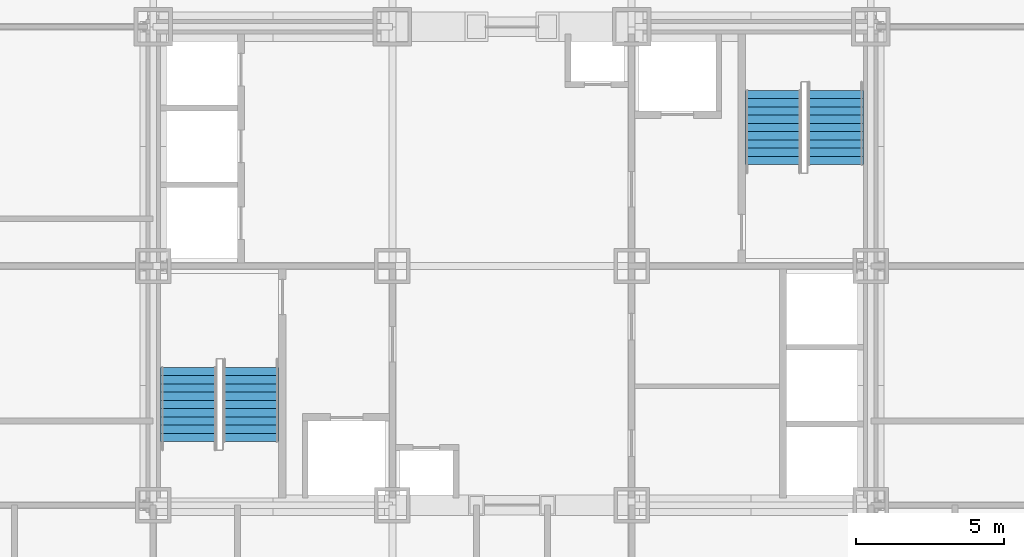
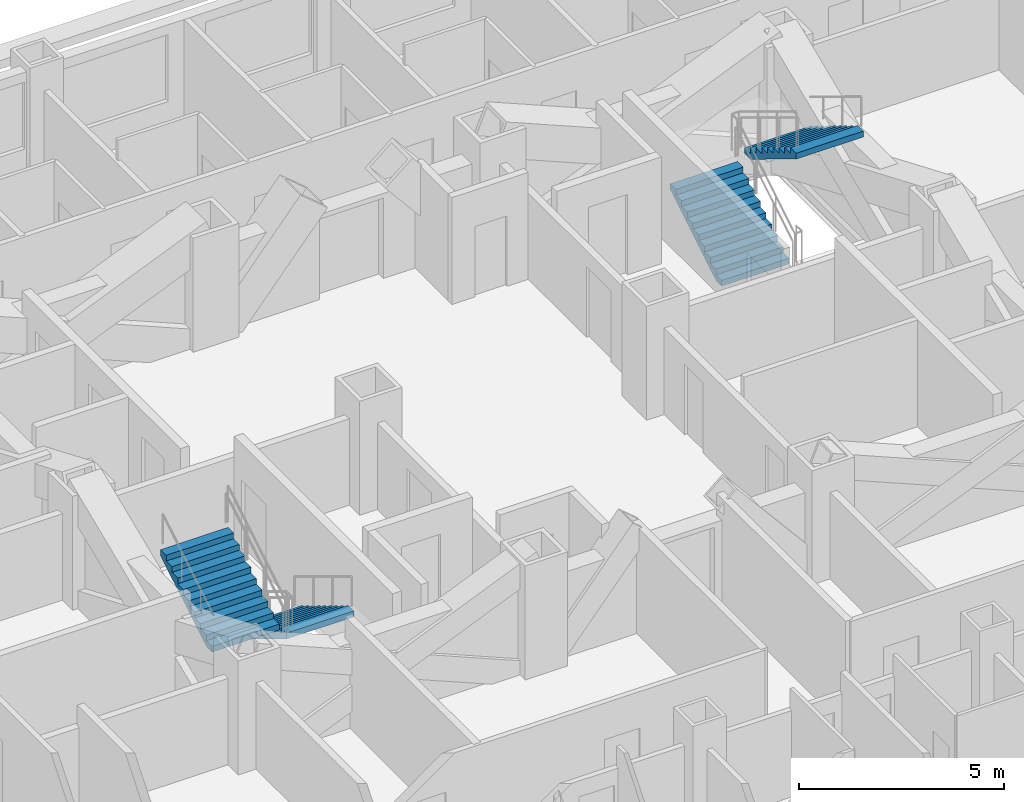
# One storey, part 11 of 12: 4 stair flights, 2 elements without a shape of their own.
"""IFC4 building model written with IfcOpenShell, lengths in metres."""

from ifc_helpers import new_model, si_unit, direction, frame, origin, place, context, subcontext, project, spatial, polygons, source, transform, mapped, material, type_object, element, aggregate, save


model = new_model("IFC4")

# Units and contexts
model_context = context("Model", 3, precision=1e-05, world=origin(), true_north=direction((0.0, 1.0)))
body_context = subcontext(model_context, "Body", "Model", "MODEL_VIEW")
ifc_project = project(units=[si_unit("LENGTHUNIT", "METRE"), si_unit("AREAUNIT", "SQUARE_METRE"), si_unit("VOLUMEUNIT", "CUBIC_METRE"), si_unit("PLANEANGLEUNIT", "RADIAN"), si_unit("MASSUNIT", "GRAM", prefix="KILO")], contexts=[model_context])

# Site, building, storey
site_placement = place(None, origin())
site = spatial("IfcSite", under=ifc_project, at=site_placement, CompositionType="ELEMENT")
building_placement = place(site_placement, origin())
building = spatial("IfcBuilding", under=site, at=building_placement, Name="Kopane Lantern Tower", CompositionType="ELEMENT")
storey_placement = place(building_placement, frame((0.0, 0.0, 46.60009765625)))
storey = spatial("IfcBuildingStorey", under=building, at=storey_placement, Name="L10", CompositionType="ELEMENT", Elevation=46.60009765625)

# Stair, stair flights
ifc_material_1 = material(Name="Steel S355JR", Category="steel")
stair_type = type_object("IfcStairType", Name="EXIT STAIR 1900 HALF TURN", PredefinedType="HALF_TURN_STAIR", material=ifc_material_1)
stair_1_placement = place(storey_placement, origin())
stair_1 = element("IfcStair", 1, at=stair_1_placement, inside=storey, type_object=stair_type, Name="Exit stair ST1 L10", PredefinedType="HALF_TURN_STAIR")
ifc_material_2 = material(Name="Steel S355JR", Category="steel")
stair_flight_type = type_object("IfcStairFlightType", Name="STAIR FLIGHT 1900 STEEL", PredefinedType="STRAIGHT", material=ifc_material_2)
shared_shape = source(origin(), body_context, "Body", "Tessellation", [
    polygons([(2.520019531, 0.949951172, 1.530029297), (2.239990234, 0.949951172, 1.530029297), (2.239990234, -0.949951172, 1.530029297), (2.520019531, -0.949951172, 1.530029297), (0.288818359, 0.949951172, 0.0), (2.520019531, 0.949951172, 1.354736328), (2.520019531, -0.949951172, 1.354736328), (0.288818359, -0.949951172, 0.0), (0.0, 0.949951172, 0.0), (0.0, -0.949951172, 0.0), (0.280029297, 0.949951172, 0.169921875), (0.0, 0.949951172, 0.169921875), (0.0, -0.949951172, 0.169921875), (0.280029297, -0.949951172, 0.169921875), (0.280029297, 0.949951172, 0.340087891), (0.280029297, -0.949951172, 0.340087891), (0.560058594, 0.949951172, 0.340087891), (0.560058594, -0.949951172, 0.340087891), (0.560058594, 0.949951172, 0.510009766), (0.560058594, -0.949951172, 0.510009766), (0.840087891, 0.949951172, 0.510009766), (0.840087891, -0.949951172, 0.510009766), (0.840087891, 0.949951172, 0.679931641), (0.840087891, -0.949951172, 0.679931641), (1.120117188, 0.949951172, 0.679931641), (1.120117188, -0.949951172, 0.679931641), (1.120117188, 0.949951172, 0.850097656), (1.120117188, -0.949951172, 0.850097656), (1.399902344, 0.949951172, 0.850097656), (1.399902344, -0.949951172, 0.850097656), (1.399902344, 0.949951172, 1.020019531), (1.399902344, -0.949951172, 1.020019531), (1.679931641, 0.949951172, 1.020019531), (1.679931641, -0.949951172, 1.020019531), (1.679931641, 0.949951172, 1.189941406), (1.679931641, -0.949951172, 1.189941406), (1.959960938, 0.949951172, 1.189941406), (1.959960938, -0.949951172, 1.189941406), (1.959960938, 0.949951172, 1.360107422), (1.959960938, -0.949951172, 1.360107422), (2.239990234, 0.949951172, 1.360107422), (2.239990234, -0.949951172, 1.360107422), (0.0, 0.0, 0.004592483), (0.0, 0.0, 0.009184966), (0.0, 0.0, 0.013777449), (0.0, 0.0, 0.018369932), (0.0, 0.0, 0.022962416), (0.0, 0.0, 0.027554899), (0.0, 0.0, 0.032147382), (0.0, 0.0, 0.036739865), (0.0, 0.0, 0.041332348), (0.0, 0.0, 0.045924831), (0.0, 0.0, 0.050517314), (0.0, 0.0, 0.055109797), (0.0, 0.0, 0.05970228), (0.0, 0.0, 0.064294764), (0.0, 0.0, 0.068887247), (0.0, 0.0, 0.07347973), (0.0, 0.0, 0.078072213), (0.0, 0.0, 0.082664696), (0.0, 0.0, 0.087257179), (0.0, 0.0, 0.091849662), (0.0, 0.0, 0.096442145), (0.0, 0.0, 0.101034628), (0.0, 0.0, 0.105627111), (0.0, 0.0, 0.110219595), (0.0, 0.0, 0.114812078), (0.0, 0.0, 0.119404561), (0.0, 0.0, 0.123997044), (0.0, 0.0, 0.128589527), (0.0, 0.0, 0.13318201), (0.0, 0.0, 0.137774493), (0.0, 0.0, 0.142366976), (0.0, 0.0, 0.146959459), (0.0, 0.0, 0.151551943), (0.0, 0.0, 0.156144426), (0.0, 0.0, 0.160736909), (0.0, 0.0, 0.165329392), (2.520019531, 0.0, 1.359473976), (2.520019531, 0.0, 1.364211624), (2.520019531, 0.0, 1.368949272), (2.520019531, 0.0, 1.373686919), (2.520019531, 0.0, 1.378424567), (2.520019531, 0.0, 1.383162215), (2.520019531, 0.0, 1.387899863), (2.520019531, 0.0, 1.392637511), (2.520019531, 0.0, 1.397375158), (2.520019531, 0.0, 1.402112806), (2.520019531, 0.0, 1.406850454), (2.520019531, 0.0, 1.411588102), (2.520019531, 0.0, 1.41632575), (2.520019531, 0.0, 1.421063397), (2.520019531, 0.0, 1.425801045), (2.520019531, 0.0, 1.430538693), (2.520019531, 0.0, 1.435276341), (2.520019531, 0.0, 1.440013989), (2.520019531, 0.0, 1.444751636), (2.520019531, 0.0, 1.449489284), (2.520019531, 0.0, 1.454226932), (2.520019531, 0.0, 1.45896458), (2.520019531, 0.0, 1.463702228), (2.520019531, 0.0, 1.468439875), (2.520019531, 0.0, 1.473177523), (2.520019531, 0.0, 1.477915171), (2.520019531, 0.0, 1.482652819), (2.520019531, 0.0, 1.487390467), (2.520019531, 0.0, 1.492128114), (2.520019531, 0.0, 1.496865762), (2.520019531, 0.0, 1.50160341), (2.520019531, 0.0, 1.506341058), (2.520019531, 0.0, 1.511078706), (2.520019531, 0.0, 1.515816353), (2.520019531, 0.0, 1.520554001), (2.520019531, 0.0, 1.525291649)], [[[1, 2, 3]], [[1, 3, 4]], [[5, 6, 7]], [[5, 7, 8]], [[9, 5, 8]], [[9, 8, 10]], [[11, 12, 13]], [[11, 13, 14]], [[15, 11, 14]], [[15, 14, 16]], [[17, 15, 16]], [[17, 16, 18]], [[19, 17, 18]], [[19, 18, 20]], [[21, 19, 20]], [[21, 20, 22]], [[23, 21, 22]], [[23, 22, 24]], [[25, 23, 24]], [[25, 24, 26]], [[27, 25, 26]], [[27, 26, 28]], [[29, 27, 28]], [[29, 28, 30]], [[31, 29, 30]], [[31, 30, 32]], [[33, 31, 32]], [[33, 32, 34]], [[35, 33, 34]], [[35, 34, 36]], [[37, 35, 36]], [[37, 36, 38]], [[39, 37, 38]], [[39, 38, 40]], [[41, 39, 40]], [[41, 40, 42]], [[2, 41, 42]], [[2, 42, 3]], [[41, 1, 6]], [[37, 41, 6]], [[2, 1, 41]], [[33, 37, 6]], [[39, 41, 37]], [[35, 37, 33]], [[31, 33, 29]], [[5, 21, 25]], [[27, 29, 25]], [[17, 21, 5]], [[23, 25, 21]], [[11, 17, 5]], [[19, 21, 17]], [[9, 11, 5]], [[15, 17, 11]], [[12, 11, 9]], [[6, 5, 25]], [[6, 25, 29]], [[6, 29, 33]], [[7, 4, 42]], [[7, 42, 38]], [[42, 4, 3]], [[7, 38, 34]], [[38, 42, 40]], [[34, 38, 36]], [[30, 34, 32]], [[26, 22, 8]], [[26, 30, 28]], [[8, 22, 18]], [[22, 26, 24]], [[8, 18, 14]], [[18, 22, 20]], [[8, 14, 10]], [[14, 18, 16]], [[10, 14, 13]], [[26, 8, 7]], [[30, 26, 7]], [[34, 30, 7]], [[10, 43, 9]], [[10, 44, 43]], [[9, 43, 44]], [[10, 45, 44]], [[9, 44, 45]], [[10, 46, 45]], [[9, 45, 46]], [[10, 47, 46]], [[9, 46, 47]], [[10, 48, 47]], [[9, 47, 48]], [[10, 49, 48]], [[9, 48, 49]], [[10, 50, 49]], [[9, 49, 50]], [[10, 51, 50]], [[9, 50, 51]], [[10, 52, 51]], [[9, 51, 52]], [[10, 53, 52]], [[9, 52, 53]], [[10, 54, 53]], [[9, 53, 54]], [[10, 55, 54]], [[9, 54, 55]], [[10, 56, 55]], [[9, 55, 56]], [[10, 57, 56]], [[9, 56, 57]], [[10, 58, 57]], [[9, 57, 58]], [[10, 59, 58]], [[9, 58, 59]], [[10, 60, 59]], [[9, 59, 60]], [[10, 61, 60]], [[9, 60, 61]], [[10, 62, 61]], [[9, 61, 62]], [[10, 63, 62]], [[9, 62, 63]], [[10, 64, 63]], [[9, 63, 64]], [[10, 65, 64]], [[9, 64, 65]], [[10, 66, 65]], [[9, 65, 66]], [[10, 67, 66]], [[9, 66, 67]], [[10, 68, 67]], [[9, 67, 68]], [[10, 69, 68]], [[9, 68, 69]], [[10, 70, 69]], [[9, 69, 70]], [[10, 71, 70]], [[9, 70, 71]], [[10, 72, 71]], [[9, 71, 72]], [[10, 73, 72]], [[9, 72, 73]], [[10, 74, 73]], [[9, 73, 74]], [[10, 75, 74]], [[9, 74, 75]], [[10, 76, 75]], [[9, 75, 76]], [[10, 77, 76]], [[9, 76, 77]], [[10, 78, 77]], [[9, 77, 78]], [[10, 13, 78]], [[78, 13, 12]], [[9, 78, 12]], [[7, 6, 79]], [[7, 79, 80]], [[6, 80, 79]], [[7, 80, 81]], [[6, 81, 80]], [[7, 81, 82]], [[6, 82, 81]], [[7, 82, 83]], [[6, 83, 82]], [[7, 83, 84]], [[6, 84, 83]], [[7, 84, 85]], [[6, 85, 84]], [[7, 85, 86]], [[6, 86, 85]], [[7, 86, 87]], [[6, 87, 86]], [[7, 87, 88]], [[6, 88, 87]], [[7, 88, 89]], [[6, 89, 88]], [[7, 89, 90]], [[6, 90, 89]], [[7, 90, 91]], [[6, 91, 90]], [[7, 91, 92]], [[6, 92, 91]], [[7, 92, 93]], [[6, 93, 92]], [[7, 93, 94]], [[6, 94, 93]], [[7, 94, 95]], [[6, 95, 94]], [[7, 95, 96]], [[6, 96, 95]], [[7, 96, 97]], [[6, 97, 96]], [[7, 97, 98]], [[6, 98, 97]], [[7, 98, 99]], [[6, 99, 98]], [[7, 99, 100]], [[6, 100, 99]], [[7, 100, 101]], [[6, 101, 100]], [[7, 101, 102]], [[6, 102, 101]], [[7, 102, 103]], [[6, 103, 102]], [[7, 103, 104]], [[6, 104, 103]], [[7, 104, 105]], [[6, 105, 104]], [[7, 105, 106]], [[6, 106, 105]], [[7, 106, 107]], [[6, 107, 106]], [[7, 107, 108]], [[6, 108, 107]], [[7, 108, 109]], [[6, 109, 108]], [[7, 109, 110]], [[6, 110, 109]], [[7, 110, 111]], [[6, 111, 110]], [[7, 111, 112]], [[6, 112, 111]], [[7, 112, 113]], [[6, 113, 112]], [[7, 113, 114]], [[6, 114, 113]], [[7, 114, 4]], [[114, 1, 4]], [[6, 1, 114]]], closed=True),
])
stair_flight_1_placement = place(storey_placement, frame((19.5, 28.969970703125, 0.0), z_axis=(0.0, 0.0, 1.0), x_axis=(0.0, -1.0, 0.0)))
stair_flight_1 = element("IfcStairFlight", 2, at=stair_flight_1_placement, type_object=stair_flight_type, Name="ST1 flight 1", NumberOfRisers=10, NumberOfTreads=9, PredefinedType="STRAIGHT", RiserHeight=0.17, TreadLength=0.28, context=body_context, shape_type="MappedRepresentation", body=[
    mapped(shared_shape, transform((0.0, 0.0, 0.0))),
])
stair_flight_2_placement = place(storey_placement, frame((17.39990234375, 26.449951171875, 1.699951171875), z_axis=(0.0, 0.0, 1.0), x_axis=(0.0, 1.0, 0.0)))
stair_flight_2 = element("IfcStairFlight", 3, at=stair_flight_2_placement, type_object=stair_flight_type, Name="ST1 flight 2", NumberOfRisers=10, NumberOfTreads=9, PredefinedType="STRAIGHT", RiserHeight=0.17, TreadLength=0.28, context=body_context, shape_type="MappedRepresentation", body=[
    mapped(shared_shape, transform((0.0, 0.0, 0.0))),
])
aggregate(stair_1, [stair_flight_1, stair_flight_2])

stair_2_placement = place(storey_placement, origin())
stair_2 = element("IfcStair", 4, at=stair_2_placement, inside=storey, type_object=stair_type, Name="Exit stair ST2 L10", PredefinedType="HALF_TURN_STAIR")
stair_flight_3_placement = place(storey_placement, frame((37.199951171875, 35.830078125, 0.0), z_axis=(0.0, 0.0, 1.0), x_axis=(0.0, 1.0, 0.0)))
stair_flight_3 = element("IfcStairFlight", 5, at=stair_flight_3_placement, type_object=stair_flight_type, Name="ST2 flight 1", NumberOfRisers=10, NumberOfTreads=9, PredefinedType="STRAIGHT", RiserHeight=0.17, TreadLength=0.28, context=body_context, shape_type="MappedRepresentation", body=[
    mapped(shared_shape, transform((0.0, 0.0, 0.0))),
])
stair_flight_4_placement = place(storey_placement, frame((39.300048828125, 38.35009765625, 1.699951171875), z_axis=(0.0, 0.0, 1.0), x_axis=(0.0, -1.0, 0.0)))
stair_flight_4 = element("IfcStairFlight", 6, at=stair_flight_4_placement, type_object=stair_flight_type, Name="ST2 flight 2", NumberOfRisers=10, NumberOfTreads=9, PredefinedType="STRAIGHT", RiserHeight=0.17, TreadLength=0.28, context=body_context, shape_type="MappedRepresentation", body=[
    mapped(shared_shape, transform((0.0, 0.0, 0.0))),
])
aggregate(stair_2, [stair_flight_3, stair_flight_4])

save(model, "model.ifc")
